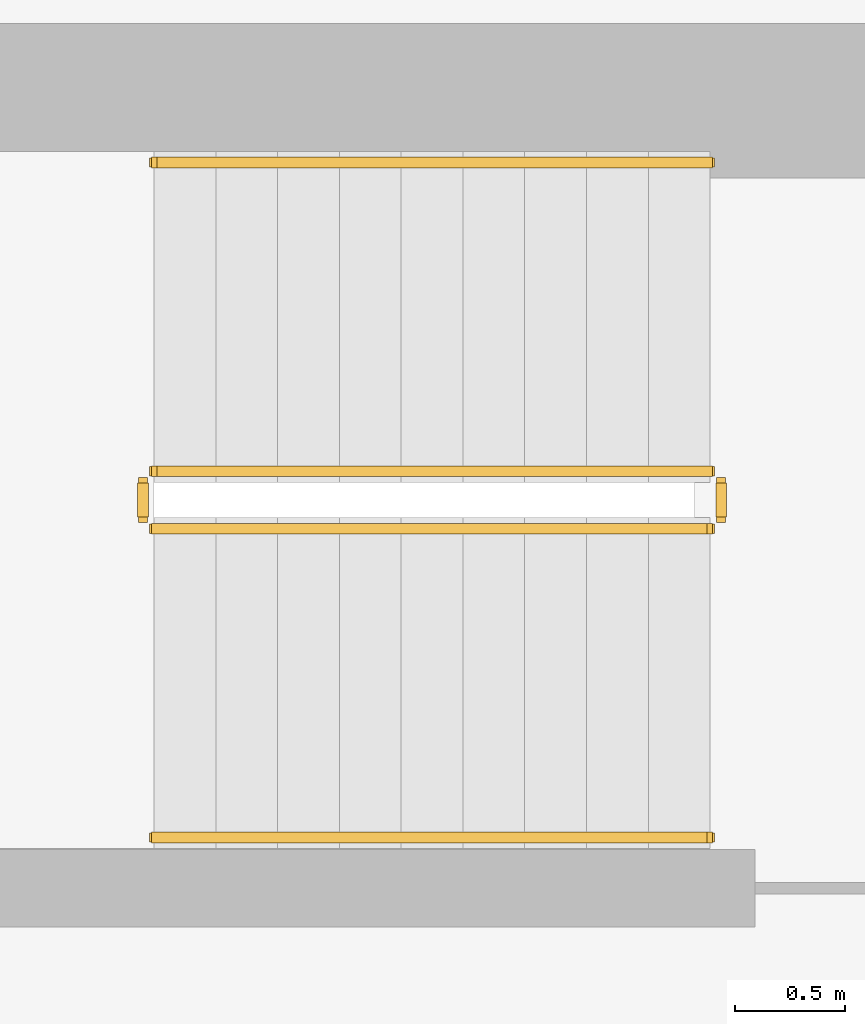
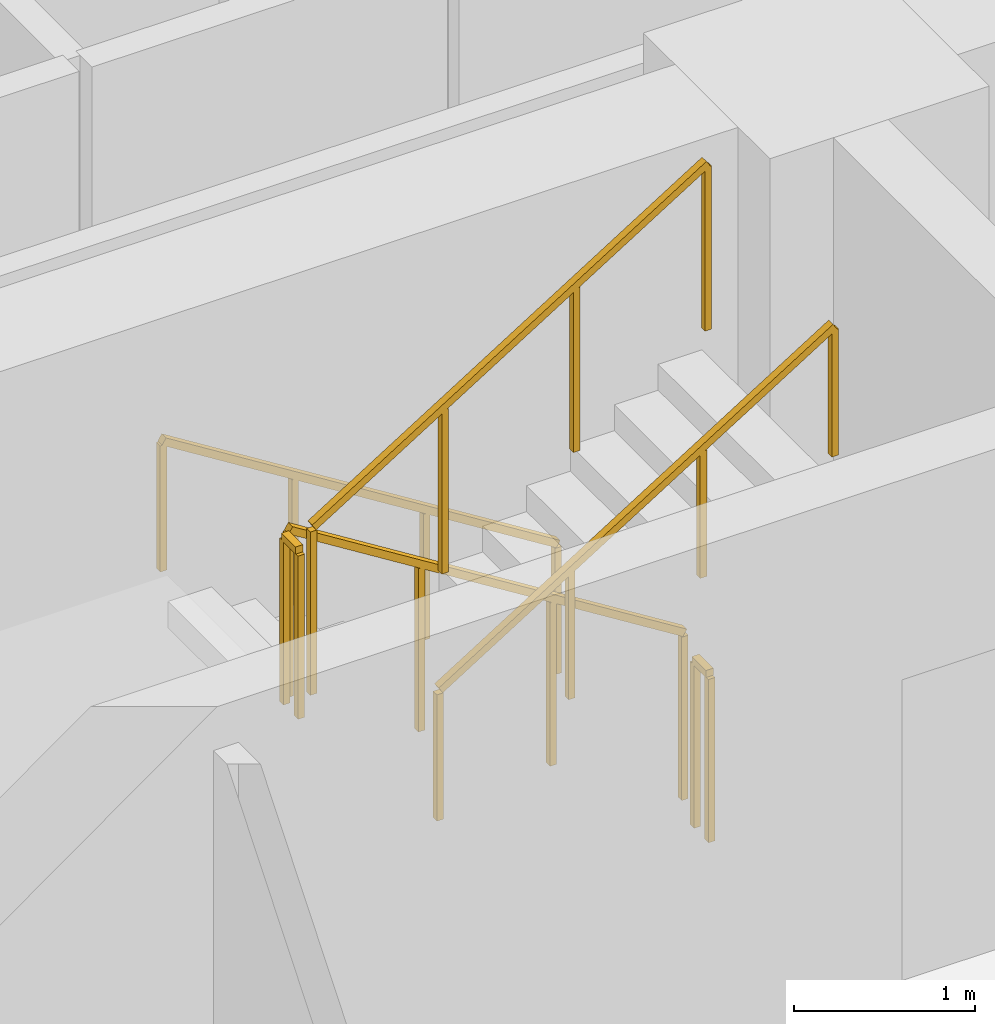
# One storey, part 14 of 16: 6 railings.
"""IFC4 building model written with IfcOpenShell, lengths in metres."""

import ifcopenshell
import ifcopenshell.guid

model = None  # the IFC model being written
_history = None  # IfcOwnerHistory: only IFC2X3 demands one
_inside = {}  # id of a spatial element -> (the spatial element, [elements in it])
_under = {}  # id of a project, library or spatial element -> (it, [spatial elements below it])
_declared = {}  # id of a project -> (the project, [libraries it declares])
_typed = {}  # id of a type object -> (the type object, [elements of that type])
_made_of = {}  # id of a material, layer set ... -> (it, [elements and type objects made of it])


def new_model(schema):
    """Start an empty IFC model of exactly this schema.

    Asked for "IFC4X3", IfcOpenShell would pick the latest addendum, in which some entities
    have other attributes; the version numbers below select the first issue.
    IFC2X3 requires an IfcOwnerHistory on every rooted entity: one is made here for all.
    """
    global model, _history
    if schema == "IFC4X3":
        model = ifcopenshell.file(schema_version=(4, 3, 0, 0))
    else:
        model = ifcopenshell.file(schema=schema)
    _inside.clear()
    _under.clear()
    _declared.clear()
    _typed.clear()
    _made_of.clear()
    _history = None
    if model.schema == "IFC2X3":
        org = make("IfcOrganization", Name="unknown")
        user = make(
            "IfcPersonAndOrganization",
            ThePerson=make("IfcPerson", FamilyName="unknown"),
            TheOrganization=org,
        )
        app = make(
            "IfcApplication",
            ApplicationDeveloper=org,
            Version="unknown",
            ApplicationFullName="unknown",
            ApplicationIdentifier="unknown",
        )
        _history = make(
            "IfcOwnerHistory",
            OwningUser=user,
            OwningApplication=app,
            ChangeAction="ADDED",
            CreationDate=0,
        )
    return model


def make(cls, **values):
    """One entity of the class cls with the attributes given. An attribute that is None is left unset."""
    return model.create_entity(
        cls, **{name: value for name, value in values.items() if value is not None}
    )


def rooted(cls, **values):
    """An entity with a GlobalId (a new one), such as an element, a storey or a relation."""
    return make(cls, GlobalId=ifcopenshell.guid.new(), OwnerHistory=_history, **values)


def si_unit(unit_type, name, prefix=None):
    """IfcSIUnit, for example si_unit("LENGTHUNIT", "METRE", prefix="MILLI")."""
    return make("IfcSIUnit", UnitType=unit_type, Prefix=prefix, Name=name)


def assignment(units):
    """IfcUnitAssignment: the units of a project."""
    return None if units is None else make("IfcUnitAssignment", Units=units)


def point(xyz):
    """IfcCartesianPoint."""
    return None if xyz is None else make("IfcCartesianPoint", Coordinates=xyz)


def direction(xyz):
    """IfcDirection."""
    return None if xyz is None else make("IfcDirection", DirectionRatios=xyz)


def frame(location, z_axis=None, x_axis=None):
    """IfcAxis2Placement3D, a coordinate frame: its origin and axes. An axis left out is left unset."""
    return make(
        "IfcAxis2Placement3D",
        Location=point(location),
        Axis=direction(z_axis),
        RefDirection=direction(x_axis),
    )


def frame_2d(location, x_axis=None):
    """IfcAxis2Placement2D, a coordinate frame in the plane: its origin and x axis."""
    return make(
        "IfcAxis2Placement2D", Location=point(location), RefDirection=direction(x_axis)
    )


def origin():
    """The frame at (0, 0, 0) with its axes left unset."""
    return frame((0.0, 0.0, 0.0))


def origin_2d():
    """The frame at (0, 0) in the plane with its x axis left unset."""
    return frame_2d((0.0, 0.0))


def place(relative_to, where):
    """IfcLocalPlacement: puts the frame where relative to a parent placement (None: the world)."""
    return make(
        "IfcLocalPlacement", PlacementRelTo=relative_to, RelativePlacement=where
    )


def context(
    kind, dimensions, precision=None, world=None, true_north=None, identifier=None
):
    """IfcGeometricRepresentationContext, for example the 3D "Model" context."""
    return make(
        "IfcGeometricRepresentationContext",
        ContextIdentifier=identifier,
        ContextType=kind,
        CoordinateSpaceDimension=dimensions,
        Precision=precision,
        WorldCoordinateSystem=world,
        TrueNorth=true_north,
    )


def subcontext(parent, identifier, kind, view, scale=None):
    """IfcGeometricRepresentationSubContext, for example "Body" below "Model"."""
    return make(
        "IfcGeometricRepresentationSubContext",
        ContextIdentifier=identifier,
        ContextType=kind,
        ParentContext=parent,
        TargetScale=scale,
        TargetView=view,
    )


def project(units=None, contexts=None):
    """IfcProject with its units and contexts."""
    return rooted(
        "IfcProject",
        Name="project",
        RepresentationContexts=contexts,
        UnitsInContext=assignment(units),
    )


def spatial(cls, under=None, at=None, **own):
    """A site, building, storey or space (cls), placed at a placement, below another one or the project."""
    s = rooted(cls, ObjectPlacement=at, **own)
    if under is not None:
        _under.setdefault(under.id(), (under, []))[1].append(s)
    return s


def profile(cls, at=None, kind="AREA", **sizes):
    """A parametric profile (cls). Its sizes go by their IFC names, for example OverallWidth=200.0."""
    return make(cls, ProfileType=kind, Position=at, **sizes)


def rectangle(**sizes):
    """IfcRectangleProfileDef."""
    return profile("IfcRectangleProfileDef", **sizes)


def extrude(swept, where, along, depth):
    """IfcExtrudedAreaSolid: the profile swept, set in the frame where, extruded along a direction by depth."""
    return make(
        "IfcExtrudedAreaSolid",
        SweptArea=swept,
        Position=where,
        ExtrudedDirection=direction(along),
        Depth=depth,
    )


def shape(context_of_items, identifier, shape_type, items):
    """IfcShapeRepresentation: the items that make up one representation, for example the "Body"."""
    return make(
        "IfcShapeRepresentation",
        ContextOfItems=context_of_items,
        RepresentationIdentifier=identifier,
        RepresentationType=shape_type,
        Items=items,
    )


def material(Name=None, Category=None):
    """IfcMaterial."""
    return make("IfcMaterial", Name=Name, Category=Category)


def made_of(thing, what):
    """Note that an element or type object is made of a material, layer set ...; save() writes the relation."""
    if what is not None:
        _made_of.setdefault(what.id(), (what, []))[1].append(thing)
    return thing


def type_object(cls, material=None, **own):
    """A type object (cls), such as IfcWallType, which elements share."""
    return made_of(rooted(cls, **own), material)


def element(
    cls,
    number,
    at=None,
    inside=None,
    cuts=None,
    type_object=None,
    material=None,
    context=None,
    identifier="Body",
    shape_type=None,
    held_by="IfcProductDefinitionShape",
    body=None,
    shapes=None,
    **own,
):
    """One element of the class cls, such as IfcWall. Its Tag is "e" and its number.

    at: its placement. inside: the storey or other place that contains it. cuts: it is an
    opening in that element (IfcRelVoidsElement). A single representation is given by context,
    identifier, shape_type and body (its items); several are given by shapes. held_by: the class
    of the entity that holds the representations. save() writes the other relations.
    """
    e = rooted(cls, Tag="e%d" % number, ObjectPlacement=at, **own)
    if body is not None:
        shapes = [shape(context, identifier, shape_type, body)]
    if shapes is not None:
        e.Representation = make(held_by, Representations=shapes)
    if inside is not None:
        _inside.setdefault(inside.id(), (inside, []))[1].append(e)
    if cuts is not None:
        rooted(
            "IfcRelVoidsElement", RelatingBuildingElement=cuts, RelatedOpeningElement=e
        )
    if type_object is not None:
        _typed.setdefault(type_object.id(), (type_object, []))[1].append(e)
    return made_of(e, material)


def aggregate(whole, parts):
    """IfcRelAggregates: a whole, such as a stair, and the parts it consists of."""
    return rooted("IfcRelAggregates", RelatingObject=whole, RelatedObjects=parts)


def save(model, path):
    """Write the relations noted so far, then the file.

    IfcRelAggregates (storeys below a building ...), IfcRelContainedInSpatialStructure (elements
    in a storey), IfcRelDefinesByType, IfcRelAssociatesMaterial and IfcRelDeclares: one each for
    every whole, place, type object, material and project.
    """
    for whole, parts in _under.values():
        aggregate(whole, parts)
    for where, things in _inside.values():
        rooted(
            "IfcRelContainedInSpatialStructure",
            RelatedElements=things,
            RelatingStructure=where,
        )
    for kind, things in _typed.values():
        rooted("IfcRelDefinesByType", RelatedObjects=things, RelatingType=kind)
    for what, things in _made_of.values():
        rooted("IfcRelAssociatesMaterial", RelatedObjects=things, RelatingMaterial=what)
    for by, libraries in _declared.values():
        rooted("IfcRelDeclares", RelatingContext=by, RelatedDefinitions=libraries)
    model.write(path)


model = new_model("IFC4")

# Units and contexts
model_context = context("Model", 3, precision=1e-05, world=origin(), true_north=direction((0.0, 1.0)))
body_context = subcontext(model_context, "Body", "Model", "MODEL_VIEW")
ifc_project = project(units=[si_unit("LENGTHUNIT", "METRE"), si_unit("AREAUNIT", "SQUARE_METRE"), si_unit("VOLUMEUNIT", "CUBIC_METRE"), si_unit("PLANEANGLEUNIT", "RADIAN"), si_unit("MASSUNIT", "GRAM", prefix="KILO")], contexts=[model_context])

# Site, building, storey
site_placement = place(None, origin())
site = spatial("IfcSite", under=ifc_project, at=site_placement, CompositionType="ELEMENT")
building_placement = place(site_placement, origin())
building = spatial("IfcBuilding", under=site, at=building_placement, Name="Zarnavel Station Tower", CompositionType="ELEMENT")
storey_placement = place(building_placement, frame((0.0, 0.0, 39.5)))
storey = spatial("IfcBuildingStorey", under=building, at=storey_placement, Name="L10", CompositionType="ELEMENT", Elevation=39.5)

# Railings
ifc_material_1 = material(Name="Painted Steel S355J2 Balustrade", Category="steel")
railing_type_1 = type_object("IfcRailingType", Name="GR_INT_1150", PredefinedType="GUARDRAIL", material=ifc_material_1)
railing_1_placement = place(storey_placement, frame((19.47998046875, 35.3701171875, 0.175048828125)))
element("IfcRailing", 1, at=railing_1_placement, inside=storey, type_object=railing_type_1, Name="L10 ST1 stair guard 1", PredefinedType="GUARDRAIL", context=body_context, shape_type="SweptSolid", body=[
    extrude(rectangle(XDim=0.048095703125, YDim=0.048095703125, at=origin_2d()), frame((-0.001708984375, 0.0, 1.126953125), z_axis=(-0.848007534815, 0.0, 0.529984170421), x_axis=(0.0, -1.0, 0.0)), (0.0, 0.0, 1.0), 2.9677734375),
    extrude(rectangle(XDim=0.0419921875, YDim=0.0419921875, at=origin_2d()), origin(), (0.0, 0.0, 1.0), 1.101806640625),
    extrude(rectangle(XDim=0.0419921875, YDim=0.0419921875, at=origin_2d()), frame((-0.840087890625, 0.0, 0.52490234375)), (0.0, 0.0, 1.0), 1.101806640625),
    extrude(rectangle(XDim=0.0419921875, YDim=0.0419921875, at=origin_2d()), frame((-1.679931640625, 0.0, 1.050048828125)), (0.0, 0.0, 1.0), 1.101806640625),
    extrude(rectangle(XDim=0.0419921875, YDim=0.0419921875, at=origin_2d()), frame((-2.52001953125, 0.0, 1.574951171875)), (0.0, 0.0, 1.0), 1.101806640625),
])
railing_2_placement = place(storey_placement, frame((16.909912109375, 35.320068359375, 1.75)))
element("IfcRailing", 2, at=railing_2_placement, inside=storey, type_object=railing_type_1, Name="L10 ST1 stair guard 2", PredefinedType="GUARDRAIL", context=body_context, shape_type="SweptSolid", body=[
    extrude(rectangle(XDim=0.048095703125, YDim=0.048095703125, at=origin_2d()), frame((0.0, -0.001953125, 1.1259765625), z_axis=(0.0, -1.0, 0.0), x_axis=(1.0, 0.0, 0.0)), (0.0, 0.0, 1.0), 0.15625),
    extrude(rectangle(XDim=0.0419921875, YDim=0.0419921875, at=origin_2d()), origin(), (0.0, 0.0, 1.0), 1.101806640625),
    extrude(rectangle(XDim=0.0419921875, YDim=0.0419921875, at=origin_2d()), frame((0.0, -0.16015625, 0.0)), (0.0, 0.0, 1.0), 1.101806640625),
])
railing_3_placement = place(storey_placement, frame((16.9599609375, 35.110107421875, 1.925048828125)))
element("IfcRailing", 3, at=railing_3_placement, inside=storey, type_object=railing_type_1, Name="L10 ST1 stair guard 3", PredefinedType="GUARDRAIL", context=body_context, shape_type="SweptSolid", body=[
    extrude(rectangle(XDim=0.048095703125, YDim=0.048095703125, at=origin_2d()), frame((0.001708984375, 0.0, 1.126953125), z_axis=(0.848007534815, 0.0, 0.529984170421), x_axis=(0.0, 1.0, 0.0)), (0.0, 0.0, 1.0), 2.9677734375),
    extrude(rectangle(XDim=0.0419921875, YDim=0.0419921875, at=origin_2d()), origin(), (0.0, 0.0, 1.0), 1.101806640625),
    extrude(rectangle(XDim=0.0419921875, YDim=0.0419921875, at=origin_2d()), frame((0.840087890625, 0.0, 0.52490234375)), (0.0, 0.0, 1.0), 1.101806640625),
    extrude(rectangle(XDim=0.0419921875, YDim=0.0419921875, at=origin_2d()), frame((1.679931640625, 0.0, 1.050048828125)), (0.0, 0.0, 1.0), 1.101806640625),
    extrude(rectangle(XDim=0.0419921875, YDim=0.0419921875, at=origin_2d()), frame((2.52001953125, 0.0, 1.574951171875)), (0.0, 0.0, 1.0), 1.101806640625),
])
railing_4_placement = place(storey_placement, frame((19.530029296875, 35.320068359375, 0.0)))
element("IfcRailing", 4, at=railing_4_placement, inside=storey, type_object=railing_type_1, Name="L10 ST1 stair guard 4", PredefinedType="GUARDRAIL", context=body_context, shape_type="SweptSolid", body=[
    extrude(rectangle(XDim=0.048095703125, YDim=0.048095703125, at=origin_2d()), frame((0.0, -0.001953125, 1.1259765625), z_axis=(0.0, -1.0, 0.0), x_axis=(1.0, 0.0, 0.0)), (0.0, 0.0, 1.0), 0.15625),
    extrude(rectangle(XDim=0.0419921875, YDim=0.0419921875, at=origin_2d()), origin(), (0.0, 0.0, 1.0), 1.101806640625),
    extrude(rectangle(XDim=0.0419921875, YDim=0.0419921875, at=origin_2d()), frame((0.0, -0.16015625, 0.0)), (0.0, 0.0, 1.0), 1.101806640625),
])
ifc_material_2 = material(Name="Brushed Stainless Steel S355J2 Handrail", Category="steel")
railing_type_2 = type_object("IfcRailingType", Name="HR_STAIR_900", PredefinedType="HANDRAIL", material=ifc_material_2)
railing_5_placement = place(storey_placement, frame((19.47998046875, 36.77001953125, 0.175048828125)))
element("IfcRailing", 5, at=railing_5_placement, inside=storey, type_object=railing_type_2, Name="L10 ST1 stair handrail 1", PredefinedType="HANDRAIL", context=body_context, shape_type="SweptSolid", body=[
    extrude(rectangle(XDim=0.048095703125, YDim=0.048095703125, at=origin_2d()), frame((-0.001708984375, 0.0, 0.876953125), z_axis=(-0.848007534815, 0.0, 0.529984170421), x_axis=(0.0, -1.0, 0.0)), (0.0, 0.0, 1.0), 2.9677734375),
    extrude(rectangle(XDim=0.0419921875, YDim=0.0419921875, at=origin_2d()), origin(), (0.0, 0.0, 1.0), 0.851806640625),
    extrude(rectangle(XDim=0.0419921875, YDim=0.0419921875, at=origin_2d()), frame((-0.840087890625, 0.0, 0.52490234375)), (0.0, 0.0, 1.0), 0.851806640625),
    extrude(rectangle(XDim=0.0419921875, YDim=0.0419921875, at=origin_2d()), frame((-1.679931640625, 0.0, 1.050048828125)), (0.0, 0.0, 1.0), 0.851806640625),
    extrude(rectangle(XDim=0.0419921875, YDim=0.0419921875, at=origin_2d()), frame((-2.52001953125, 0.0, 1.574951171875)), (0.0, 0.0, 1.0), 0.851806640625),
])
railing_6_placement = place(storey_placement, frame((16.9599609375, 33.7099609375, 1.925048828125)))
element("IfcRailing", 6, at=railing_6_placement, inside=storey, type_object=railing_type_2, Name="L10 ST1 stair handrail 2", PredefinedType="HANDRAIL", context=body_context, shape_type="SweptSolid", body=[
    extrude(rectangle(XDim=0.048095703125, YDim=0.048095703125, at=origin_2d()), frame((0.001708984375, 0.0, 0.876953125), z_axis=(0.848007534815, 0.0, 0.529984170421), x_axis=(0.0, 1.0, 0.0)), (0.0, 0.0, 1.0), 2.9677734375),
    extrude(rectangle(XDim=0.0419921875, YDim=0.0419921875, at=origin_2d()), origin(), (0.0, 0.0, 1.0), 0.851806640625),
    extrude(rectangle(XDim=0.0419921875, YDim=0.0419921875, at=origin_2d()), frame((0.840087890625, 0.0, 0.52490234375)), (0.0, 0.0, 1.0), 0.851806640625),
    extrude(rectangle(XDim=0.0419921875, YDim=0.0419921875, at=origin_2d()), frame((1.679931640625, 0.0, 1.050048828125)), (0.0, 0.0, 1.0), 0.851806640625),
    extrude(rectangle(XDim=0.0419921875, YDim=0.0419921875, at=origin_2d()), frame((2.52001953125, 0.0, 1.574951171875)), (0.0, 0.0, 1.0), 0.851806640625),
])

save(model, "model.ifc")
